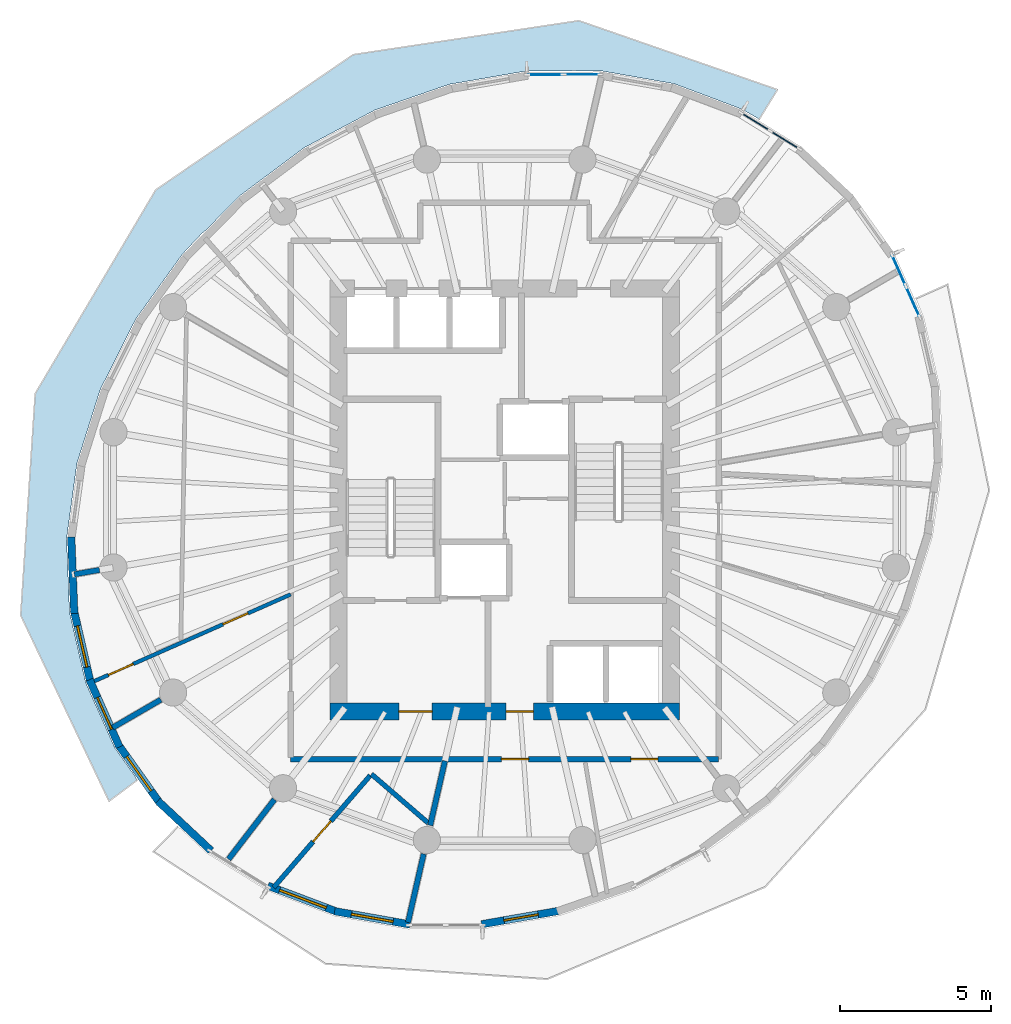
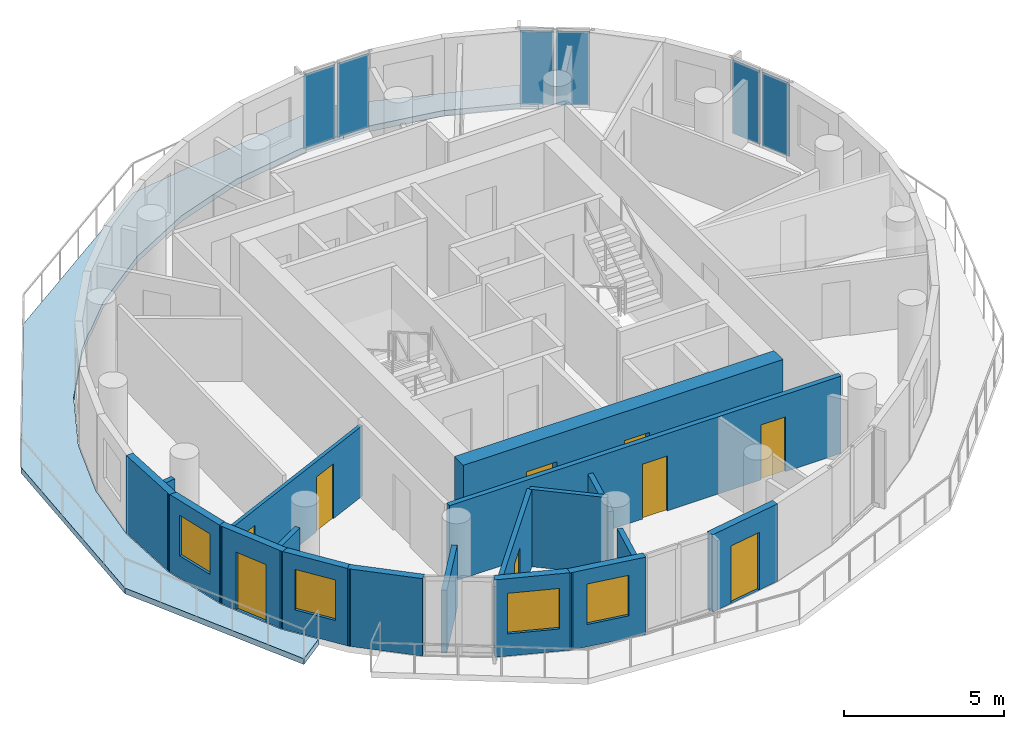
# One storey, part 4 of 10: 18 walls, 9 doors, 6 plates, 4 windows, 1 slab, 13 openings, 3 elements without a shape of their own.
"""IFC4 building model written with IfcOpenShell, lengths in metres."""

from ifc_helpers import new_model, si_unit, direction, frame, frame_2d, origin, origin_2d, place, context, subcontext, project, spatial, polyline, rectangle, outline, extrude, material, layer, layer_set, type_object, element, fill, aggregate, save


model = new_model("IFC4")

# Units and contexts
model_context = context("Model", 3, precision=1e-05, world=origin(), true_north=direction((0.0, 1.0)))
body_context = subcontext(model_context, "Body", "Model", "MODEL_VIEW")
ifc_project = project(units=[si_unit("LENGTHUNIT", "METRE"), si_unit("AREAUNIT", "SQUARE_METRE"), si_unit("VOLUMEUNIT", "CUBIC_METRE"), si_unit("PLANEANGLEUNIT", "RADIAN"), si_unit("MASSUNIT", "GRAM", prefix="KILO")], contexts=[model_context])

# Site, building, storey
site_placement = place(None, origin())
site = spatial("IfcSite", under=ifc_project, at=site_placement, CompositionType="ELEMENT")
building_placement = place(site_placement, origin())
building = spatial("IfcBuilding", under=site, at=building_placement, Name="Veldorim Arch Residences", CompositionType="ELEMENT")
storey_placement = place(building_placement, frame((0.0, 0.0, 169.43994140625)))
storey = spatial("IfcBuildingStorey", under=building, at=storey_placement, Name="L50", CompositionType="ELEMENT", Elevation=169.43994140625)

# Slab
ifc_material_1 = material(Name="Concrete C40/50", Category="concrete")
ifc_layer_1 = layer(ifc_material_1, 0.219970703125, Name="Planted Crescent Cantilever Balcony Slab 220")
ifc_layer_set_1 = layer_set([ifc_layer_1], Name="Concrete C40/50")
slab_type = type_object("IfcSlabType", Name="Planted Crescent Cantilever Balcony Slab 220", PredefinedType="FLOOR", material=ifc_layer_set_1)
slab_placement = place(storey_placement, frame((0.0, 0.0, -0.219970703125)))
element("IfcSlab", 1, at=slab_placement, inside=storey, type_object=slab_type, Name="L50 planted crescent balcony slab A", PredefinedType="FLOOR", context=body_context, shape_type="SweptSolid", body=[
    extrude(outline(polyline([(40.425048828125, 36.59814453125), (39.85107421875, 36.927490234375), (37.612060546875, 37.7705078125), (35.20263671875, 38.195068359375), (34.399169921875, 38.193115234375), (34.30615234375, 38.217529296875), (34.182373046875, 38.1923828125), (32.696044921875, 38.1884765625), (30.16845703125, 37.75048828125), (27.69677734375, 36.89501953125), (25.35595703125, 35.64794921875), (23.216796875, 34.047119140625), (22.1015625, 32.912109375), (22.001953125, 32.841552734375), (21.344482421875, 32.14111328125), (19.795654296875, 29.98779296875), (18.61767578125, 27.652587890625), (17.845703125, 25.206298828125), (17.504150390625, 22.72314453125), (17.60302734375, 20.278564453125), (18.139404296875, 17.947021484375), (19.09716796875, 15.799072265625), (19.780029296875, 14.83837890625), (19.827392578125, 14.716064453125), (18.906005859375, 14.02783203125), (15.98291015625, 20.177490234375), (16.463623046875, 27.518798828125), (20.4521484375, 34.258544921875), (26.9853515625, 38.734130859375), (34.456298828125, 39.8583984375), (41.0283203125, 37.5771484375), (40.425048828125, 36.59814453125)])), origin(), (0.0, 0.0, 1.0), 0.219970703125),
])

# Curtain wall, plates
ifc_material_2 = material(Name="Aluminium", Category="aluminium")
curtain_wall_type = type_object("IfcCurtainWallType", Name="Zone 4 High-Altitude Unitised Curtain Wall", PredefinedType="NOTDEFINED", material=ifc_material_2)
curtain_wall_1_placement = place(storey_placement, origin())
curtain_wall_1 = element("IfcCurtainWall", 2, at=curtain_wall_1_placement, inside=storey, type_object=curtain_wall_type, Name="L50 unitised curtain wall bay 02", PredefinedType="NOTDEFINED")
ifc_material_3 = material(Name="Laminated Low-E Glass", Category="glass")
ifc_layer_2 = layer(ifc_material_3, 0.030029296875, Name="Zone 4 High-Altitude Unitised Curtain Wall Glazing Panel 30")
ifc_layer_set_2 = layer_set([ifc_layer_2], Name="Laminated Low-E Glass")
plate_type = type_object("IfcPlateType", Name="Zone 4 High-Altitude Unitised Curtain Wall Glazing Panel 30", PredefinedType="CURTAIN_PANEL", material=ifc_layer_set_2)
plate_1_placement = place(storey_placement, frame((40.307861328125, 36.510009765625, 0.074951171875), z_axis=(0.0, 0.0, 1.0), x_axis=(0.850708896326, -0.525637112191, 0.0)))
plate_1 = element("IfcPlate", 3, at=plate_1_placement, type_object=plate_type, Name="CW-Z4 panel 1.1", PredefinedType="CURTAIN_PANEL", context=body_context, shape_type="SweptSolid", body=[
    extrude(rectangle(XDim=1.06103515625, YDim=0.030029296875, at=origin_2d()), origin(), (0.0, 0.0, 1.0), 2.81005859375),
])
plate_2_placement = place(storey_placement, frame((41.274169921875, 35.912841796875, 0.074951171875), z_axis=(0.0, 0.0, 1.0), x_axis=(0.850708896326, -0.525637112191, 0.0)))
plate_2 = element("IfcPlate", 4, at=plate_2_placement, type_object=plate_type, Name="CW-Z4 panel 2.1", PredefinedType="CURTAIN_PANEL", context=body_context, shape_type="SweptSolid", body=[
    extrude(rectangle(XDim=1.06103515625, YDim=0.030029296875, at=origin_2d()), origin(), (0.0, 0.0, 1.0), 2.81005859375),
])
aggregate(curtain_wall_1, [plate_1, plate_2])

curtain_wall_2_placement = place(storey_placement, origin())
curtain_wall_2 = element("IfcCurtainWall", 5, at=curtain_wall_2_placement, inside=storey, type_object=curtain_wall_type, Name="L50 unitised curtain wall bay 05", PredefinedType="NOTDEFINED")
plate_3_placement = place(storey_placement, frame((33.3427734375, 38.0751953125, 0.074951171875), z_axis=(0.0, 0.0, 1.0), x_axis=(0.999996415131, 0.002677634077, 0.0)))
plate_3 = element("IfcPlate", 6, at=plate_3_placement, type_object=plate_type, Name="CW-Z4 panel 1.1", PredefinedType="CURTAIN_PANEL", context=body_context, shape_type="SweptSolid", body=[
    extrude(rectangle(XDim=1.138671875, YDim=0.030029296875, at=origin_2d()), origin(), (0.0, 0.0, 1.0), 2.81005859375),
])
plate_4_placement = place(storey_placement, frame((34.556396484375, 38.078369140625, 0.074951171875), z_axis=(0.0, 0.0, 1.0), x_axis=(0.999996415131, 0.002677634077, 0.0)))
plate_4 = element("IfcPlate", 7, at=plate_4_placement, type_object=plate_type, Name="CW-Z4 panel 2.1", PredefinedType="CURTAIN_PANEL", context=body_context, shape_type="SweptSolid", body=[
    extrude(rectangle(XDim=1.138671875, YDim=0.030029296875, at=origin_2d()), origin(), (0.0, 0.0, 1.0), 2.81005859375),
])
aggregate(curtain_wall_2, [plate_3, plate_4])

curtain_wall_3_placement = place(storey_placement, origin())
curtain_wall_3 = element("IfcCurtainWall", 8, at=curtain_wall_3_placement, inside=storey, type_object=curtain_wall_type, Name="L50 unitised curtain wall bay 35", PredefinedType="NOTDEFINED")
plate_5_placement = place(storey_placement, frame((45.04541015625, 31.598876953125, 0.074951171875), z_axis=(0.0, 0.0, 1.0), x_axis=(0.407268864514, -0.913308311578, 0.0)))
plate_5 = element("IfcPlate", 9, at=plate_5_placement, type_object=plate_type, Name="CW-Z4 panel 1.1", PredefinedType="CURTAIN_PANEL", context=body_context, shape_type="SweptSolid", body=[
    extrude(rectangle(XDim=1.06103515625, YDim=0.030029296875, at=origin_2d()), origin(), (0.0, 0.0, 1.0), 2.81005859375),
])
plate_6_placement = place(storey_placement, frame((45.508056640625, 30.561279296875, 0.074951171875), z_axis=(0.0, 0.0, 1.0), x_axis=(0.407268864514, -0.913308311578, 0.0)))
plate_6 = element("IfcPlate", 10, at=plate_6_placement, type_object=plate_type, Name="CW-Z4 panel 2.1", PredefinedType="CURTAIN_PANEL", context=body_context, shape_type="SweptSolid", body=[
    extrude(rectangle(XDim=1.06103515625, YDim=0.030029296875, at=origin_2d()), origin(), (0.0, 0.0, 1.0), 2.81005859375),
])
aggregate(curtain_wall_3, [plate_5, plate_6])

# Wall, openings, doors
ifc_material_4 = material(Name="Acoustic Gypsum Board", Category="gypsum")
ifc_layer_3 = layer(ifc_material_4, 0.125, Name="Acoustic Stud Room Partition Wall 125")
ifc_layer_set_3 = layer_set([ifc_layer_3], Name="Acoustic Gypsum Board")
wall_type_1 = type_object("IfcWallType", Name="Acoustic Stud Room Partition Wall 125", PredefinedType="PARTITIONING", material=ifc_layer_set_3)
wall_1_placement = place(storey_placement, frame((18.316650390625, 17.954345703125, 0.0), z_axis=(0.0, 0.0, 1.0), x_axis=(0.914699105929, 0.404135553512, 0.0)))
wall_1 = element("IfcWall", 11, at=wall_1_placement, inside=storey, type_object=wall_type_1, Name="L50 interior wall WL-RES-L50-026", PredefinedType="PARTITIONING", context=body_context, shape_type="SweptSolid", body=[
    extrude(rectangle(XDim=7.218994140625, YDim=0.125, at=frame_2d((3.609375, 0.0))), origin(), (0.0, 0.0, 1.0), 2.692138671875),
])
opening_1_placement = place(wall_1_placement, frame((0.62109375, 0.0, 0.0)))
opening_1 = element("IfcOpeningElement", 12, at=opening_1_placement, cuts=wall_1, Name="Opening DR-INT", PredefinedType="OPENING", context=body_context, shape_type="SweptSolid", body=[
    extrude(rectangle(XDim=0.89990234375, YDim=2.10009765625, at=frame_2d((0.449951171875, 1.050048828125))), frame((0.0, 0.072509765625, 0.0), z_axis=(0.0, -1.0, 0.0), x_axis=(1.0, 0.0, 0.0)), (0.0, 0.0, 1.0), 0.14501953125),
])
opening_2_placement = place(wall_1_placement, frame((4.769775390625, 0.0, 0.0)))
opening_2 = element("IfcOpeningElement", 13, at=opening_2_placement, cuts=wall_1, Name="Opening DR-INT", PredefinedType="OPENING", context=body_context, shape_type="SweptSolid", body=[
    extrude(rectangle(XDim=0.89990234375, YDim=2.10009765625, at=frame_2d((0.449951171875, 1.050048828125))), frame((0.0, 0.072509765625, 0.0), z_axis=(0.0, -1.0, 0.0), x_axis=(1.0, 0.0, 0.0)), (0.0, 0.0, 1.0), 0.14501953125),
])
ifc_material_5 = material(Name="Engineered Timber", Category="wood")
door_type_1 = type_object("IfcDoorType", Name="Apartment Internal Room Timber Door 900x2100", OperationType="SINGLE_SWING_LEFT", PredefinedType="DOOR", material=ifc_material_5)
door_1_placement = place(opening_1_placement, origin())
door_1 = element("IfcDoor", 14, at=door_1_placement, inside=storey, type_object=door_type_1, Name="L50 interior door DR-RES-L50-015", OperationType="SINGLE_SWING_LEFT", OverallHeight=2.10009765625, OverallWidth=0.89990234375, PredefinedType="DOOR", context=body_context, shape_type="SweptSolid", body=[
    extrude(rectangle(XDim=0.89990234375, YDim=2.10009765625, at=frame_2d((0.449951171875, 1.050048828125))), frame((0.0, 0.02490234375, 0.0), z_axis=(0.0, -1.0, 0.0), x_axis=(1.0, 0.0, 0.0)), (0.0, 0.0, 1.0), 0.050048828125),
])
fill(opening_1, door_1)
door_2_placement = place(opening_2_placement, origin())
door_2 = element("IfcDoor", 15, at=door_2_placement, inside=storey, type_object=door_type_1, Name="L50 interior door DR-RES-L50-016", OperationType="SINGLE_SWING_RIGHT", OverallHeight=2.10009765625, OverallWidth=0.89990234375, PredefinedType="DOOR", context=body_context, shape_type="SweptSolid", body=[
    extrude(rectangle(XDim=0.89990234375, YDim=2.10009765625, at=frame_2d((0.449951171875, 1.050048828125))), frame((0.0, 0.02490234375, 0.0), z_axis=(0.0, -1.0, 0.0), x_axis=(1.0, 0.0, 0.0)), (0.0, 0.0, 1.0), 0.050048828125),
])
fill(opening_2, door_2)

# Walls
ifc_material_6 = material(Name="Lightweight Masonry Block & Gypsum", Category="masonry")
ifc_layer_4 = layer(ifc_material_6, 0.179931640625, Name="Compartment & Corridor Fire-Rated Party Wall 180")
ifc_layer_set_4 = layer_set([ifc_layer_4], Name="Lightweight Masonry Block & Gypsum")
wall_type_2 = type_object("IfcWallType", Name="Compartment & Corridor Fire-Rated Party Wall 180", PredefinedType="PARTITIONING", material=ifc_layer_set_4)
wall_2_placement = place(storey_placement, frame((18.590576171875, 21.680419921875, 0.0), z_axis=(0.0, 0.0, 1.0), x_axis=(-0.985336508055, -0.170622290144, 0.0)))
element("IfcWall", 16, at=wall_2_placement, inside=storey, type_object=wall_type_2, Name="L50 interior wall WL-PIER-L50-09", PredefinedType="PARTITIONING", context=body_context, shape_type="SweptSolid", body=[
    extrude(rectangle(XDim=0.845703125, YDim=0.179931640625, at=frame_2d((0.4228515625, 0.0))), origin(), (0.0, 0.0, 1.0), 2.403564453125),
])
wall_3_placement = place(storey_placement, frame((20.6181640625, 17.385986328125, 0.0), z_axis=(0.0, 0.0, 1.0), x_axis=(-0.864604991586, -0.502452195264, 0.0)))
element("IfcWall", 17, at=wall_3_placement, inside=storey, type_object=wall_type_2, Name="L50 interior wall WL-PIER-L50-10", PredefinedType="PARTITIONING", context=body_context, shape_type="SweptSolid", body=[
    extrude(rectangle(XDim=1.841064453125, YDim=0.179931640625, at=frame_2d((0.92041015625, 0.0))), origin(), (0.0, 0.0, 1.0), 2.403564453125),
])
wall_4_placement = place(storey_placement, frame((24.380126953125, 14.08203125, 0.0), z_axis=(0.0, 0.0, 1.0), x_axis=(-0.609279402228, -0.792955616678, 0.0)))
element("IfcWall", 18, at=wall_4_placement, inside=storey, type_object=wall_type_2, Name="L50 interior wall WL-PIER-L50-11", PredefinedType="PARTITIONING", context=body_context, shape_type="SweptSolid", body=[
    extrude(rectangle(XDim=2.489501953125, YDim=0.179931640625, at=frame_2d((1.24462890625, 0.0))), origin(), (0.0, 0.0, 1.0), 2.403564453125),
])
wall_5_placement = place(storey_placement, frame((29.320068359375, 12.282470703125, 0.0), z_axis=(0.0, 0.0, 1.0), x_axis=(-0.222998449778, -0.974818799263, 0.0)))
element("IfcWall", 19, at=wall_5_placement, inside=storey, type_object=wall_type_2, Name="L50 interior wall WL-PIER-L50-12", PredefinedType="PARTITIONING", context=body_context, shape_type="SweptSolid", body=[
    extrude(rectangle(XDim=2.32861328125, YDim=0.179931640625, at=frame_2d((1.164306640625, 0.0))), origin(), (0.0, 0.0, 1.0), 2.403564453125),
])

# Wall, openings, doors
wall_6_placement = place(storey_placement, frame((39.080078125, 15.419921875, 0.0), z_axis=(0.0, 0.0, 1.0), x_axis=(-1.0, 0.0, 0.0)))
wall_6 = element("IfcWall", 20, at=wall_6_placement, inside=storey, type_object=wall_type_2, Name="L50 interior wall WL-RES-L50-001", PredefinedType="PARTITIONING", context=body_context, shape_type="SweptSolid", body=[
    extrude(rectangle(XDim=14.16015625, YDim=0.179931640625, at=frame_2d((7.080078125, 0.0))), origin(), (0.0, 0.0, 1.0), 2.955078125),
])
opening_3_placement = place(wall_6_placement, frame((2.006591796875, 0.0, 0.0)))
opening_3 = element("IfcOpeningElement", 21, at=opening_3_placement, cuts=wall_6, Name="Opening DR-SVC", PredefinedType="OPENING", context=body_context, shape_type="SweptSolid", body=[
    extrude(rectangle(XDim=0.89990234375, YDim=2.10009765625, at=frame_2d((0.449951171875, 1.050048828125))), frame((0.0, 0.099853515625, 0.0), z_axis=(0.0, -1.0, 0.0), x_axis=(1.0, 0.0, 0.0)), (0.0, 0.0, 1.0), 0.199951171875),
])
opening_4_placement = place(wall_6_placement, frame((6.28662109375, 0.0, 0.0)))
opening_4 = element("IfcOpeningElement", 22, at=opening_4_placement, cuts=wall_6, Name="Opening DR-INT", PredefinedType="OPENING", context=body_context, shape_type="SweptSolid", body=[
    extrude(rectangle(XDim=0.89990234375, YDim=2.10009765625, at=frame_2d((0.449951171875, 1.050048828125))), frame((0.0, 0.099853515625, 0.0), z_axis=(0.0, -1.0, 0.0), x_axis=(1.0, 0.0, 0.0)), (0.0, 0.0, 1.0), 0.199951171875),
])
door_3_placement = place(opening_4_placement, origin())
door_3 = element("IfcDoor", 23, at=door_3_placement, inside=storey, type_object=door_type_1, Name="L50 interior door DR-RES-L50-002", OperationType="SINGLE_SWING_RIGHT", OverallHeight=2.10009765625, OverallWidth=0.89990234375, PredefinedType="DOOR", context=body_context, shape_type="SweptSolid", body=[
    extrude(rectangle(XDim=0.89990234375, YDim=2.10009765625, at=frame_2d((0.449951171875, 1.050048828125))), frame((0.0, 0.02490234375, 0.0), z_axis=(0.0, -1.0, 0.0), x_axis=(1.0, 0.0, 0.0)), (0.0, 0.0, 1.0), 0.050048828125),
])
fill(opening_4, door_3)
ifc_material_7 = material(Name="Fire-Rated Steel", Category="steel")
door_type_2 = type_object("IfcDoorType", Name="Riser, Shelter & Plant Room Rated Steel Door 900x2100", OperationType="SINGLE_SWING_LEFT", PredefinedType="DOOR", material=ifc_material_7)
door_4_placement = place(opening_3_placement, origin())
door_4 = element("IfcDoor", 24, at=door_4_placement, inside=storey, type_object=door_type_2, Name="L50 interior door DR-RES-L50-001", OperationType="SINGLE_SWING_LEFT", OverallHeight=2.10009765625, OverallWidth=0.89990234375, PredefinedType="DOOR", context=body_context, shape_type="SweptSolid", body=[
    extrude(rectangle(XDim=0.89990234375, YDim=2.10009765625, at=frame_2d((0.449951171875, 1.050048828125))), frame((0.0, 0.02490234375, 0.0), z_axis=(0.0, -1.0, 0.0), x_axis=(1.0, 0.0, 0.0)), (0.0, 0.0, 1.0), 0.050048828125),
])
fill(opening_3, door_4)

# Walls
wall_7_placement = place(storey_placement, frame((29.535400390625, 13.223876953125, 0.0), z_axis=(0.0, 0.0, 1.0), x_axis=(0.222891307908, 0.97484330272, 0.0)))
element("IfcWall", 25, at=wall_7_placement, inside=storey, type_object=wall_type_2, Name="L50 interior wall WL-RES-L50-013", PredefinedType="PARTITIONING", context=body_context, shape_type="SweptSolid", body=[
    extrude(rectangle(XDim=2.19287109375, YDim=0.179931640625, at=frame_2d((1.096435546875, 0.0))), origin(), (0.0, 0.0, 1.0), 2.403564453125),
])
ifc_material_8 = material(Name="Precast concrete C40/50", Category="concrete")
ifc_layer_5 = layer(ifc_material_8, 0.25, Name="Tower Terracotta Spandrel & Pier Wall 250")
ifc_layer_set_5 = layer_set([ifc_layer_5], Name="Precast concrete C40/50")
wall_type_3 = type_object("IfcWallType", Name="Tower Terracotta Spandrel & Pier Wall 250", PredefinedType="SOLIDWALL", material=ifc_layer_set_5)
wall_8_placement = place(storey_placement, frame((17.754638671875, 20.241943359375, 0.0), z_axis=(0.0, 0.0, 1.0), x_axis=(-0.040399298921, 0.999183615081, 0.0)))
element("IfcWall", 26, at=wall_8_placement, inside=storey, type_object=wall_type_3, Name="L50 terracotta facade wall 15", PredefinedType="SOLIDWALL", context=body_context, shape_type="SweptSolid", body=[
    extrude(rectangle(XDim=2.531982421875, YDim=0.25, at=frame_2d((1.26611328125, 0.0))), origin(), (0.0, 0.0, 1.0), 2.9599609375),
])

# Wall, opening, window
wall_9_placement = place(storey_placement, frame((18.294921875, 17.939208984375, 0.0), z_axis=(0.0, 0.0, 1.0), x_axis=(-0.224175769227, 0.974548728639, 0.0)))
wall_9 = element("IfcWall", 27, at=wall_9_placement, inside=storey, type_object=wall_type_3, Name="L50 terracotta facade wall 16", PredefinedType="SOLIDWALL", context=body_context, shape_type="SweptSolid", body=[
    extrude(rectangle(XDim=2.4775390625, YDim=0.25, at=frame_2d((1.23876953125, 0.0))), origin(), (0.0, 0.0, 1.0), 2.9599609375),
])
opening_5_placement = place(wall_9_placement, frame((0.5390625, 0.0, 0.85009765625)))
opening_5 = element("IfcOpeningElement", 28, at=opening_5_placement, cuts=wall_9, Name="Opening WN-02", PredefinedType="OPENING", context=body_context, shape_type="SweptSolid", body=[
    extrude(rectangle(XDim=1.39990234375, YDim=1.550048828125, at=frame_2d((0.699951171875, 0.77490234375))), frame((0.0, 0.135009765625, 0.0), z_axis=(0.0, -1.0, 0.0), x_axis=(1.0, 0.0, 0.0)), (0.0, 0.0, 1.0), 0.27001953125),
])
ifc_material_9 = material(Name="Laminated Low-E Glass", Category="glass")
window_type_1 = type_object("IfcWindowType", Name="Residential Casement Window 1400x1550", PartitioningType="SINGLE_PANEL", PredefinedType="WINDOW", material=ifc_material_9)
window_1_placement = place(opening_5_placement, origin())
window_1 = element("IfcWindow", 29, at=window_1_placement, inside=storey, type_object=window_type_1, Name="L50 solar-control facade window 16", OverallHeight=1.550048828125, OverallWidth=1.39990234375, PartitioningType="SINGLE_PANEL", PredefinedType="WINDOW", context=body_context, shape_type="SweptSolid", body=[
    extrude(rectangle(XDim=1.39990234375, YDim=1.550048828125, at=frame_2d((0.699951171875, 0.77490234375))), frame((0.0, 0.030029296875, 0.0), z_axis=(0.0, -1.0, 0.0), x_axis=(1.0, 0.0, 0.0)), (0.0, 0.0, 1.0), 0.06005859375),
])
fill(opening_5, window_1)

# Wall, opening, door
wall_10_placement = place(storey_placement, frame((19.25146484375, 15.8212890625, 0.0), z_axis=(0.0, 0.0, 1.0), x_axis=(-0.407346511056, 0.913273682929, 0.0)))
wall_10 = element("IfcWall", 30, at=wall_10_placement, inside=storey, type_object=wall_type_3, Name="L50 terracotta facade wall 17", PredefinedType="SOLIDWALL", context=body_context, shape_type="SweptSolid", body=[
    extrude(rectangle(XDim=2.43701171875, YDim=0.25, at=frame_2d((1.218505859375, 0.0))), origin(), (0.0, 0.0, 1.0), 2.9599609375),
])
opening_6_placement = place(wall_10_placement, frame((0.64306640625, 0.0, 0.0)))
opening_6 = element("IfcOpeningElement", 31, at=opening_6_placement, cuts=wall_10, Name="Opening BL-DR", PredefinedType="OPENING", context=body_context, shape_type="SweptSolid", body=[
    extrude(rectangle(XDim=1.14990234375, YDim=2.199951171875, at=frame_2d((0.574951171875, 1.10009765625))), frame((0.0, 0.135009765625, 0.0), z_axis=(0.0, -1.0, 0.0), x_axis=(1.0, 0.0, 0.0)), (0.0, 0.0, 1.0), 0.27001953125),
])
ifc_material_10 = material(Name="Aluminium & Low-E Glass", Category="aluminium")
door_type_3 = type_object("IfcDoorType", Name="Glazed Planted Balcony Door 1150x2200", OperationType="SINGLE_SWING_LEFT", PredefinedType="DOOR", material=ifc_material_10)
door_5_placement = place(opening_6_placement, origin())
door_5 = element("IfcDoor", 32, at=door_5_placement, inside=storey, type_object=door_type_3, Name="L50 glazed outdoor terrace door BALC-1", OperationType="SINGLE_SWING_LEFT", OverallHeight=2.199951171875, OverallWidth=1.14990234375, PredefinedType="DOOR", context=body_context, shape_type="SweptSolid", body=[
    extrude(rectangle(XDim=1.14990234375, YDim=2.199951171875, at=frame_2d((0.574951171875, 1.10009765625))), frame((0.0, 0.02490234375, 0.0), z_axis=(0.0, -1.0, 0.0), x_axis=(1.0, 0.0, 0.0)), (0.0, 0.0, 1.0), 0.050048828125),
])
fill(opening_6, door_5)

# Wall, opening, window
wall_11_placement = place(storey_placement, frame((20.593994140625, 13.95263671875, 0.0), z_axis=(0.0, 0.0, 1.0), x_axis=(-0.579505880656, 0.814968057217, 0.0)))
wall_11 = element("IfcWall", 33, at=wall_11_placement, inside=storey, type_object=wall_type_3, Name="L50 terracotta facade wall 18", PredefinedType="SOLIDWALL", context=body_context, shape_type="SweptSolid", body=[
    extrude(rectangle(XDim=2.414794921875, YDim=0.25, at=frame_2d((1.20751953125, 0.0))), origin(), (0.0, 0.0, 1.0), 2.9599609375),
])
opening_7_placement = place(wall_11_placement, frame((0.507080078125, 0.0, 0.85009765625)))
opening_7 = element("IfcOpeningElement", 34, at=opening_7_placement, cuts=wall_11, Name="Opening WN-02", PredefinedType="OPENING", context=body_context, shape_type="SweptSolid", body=[
    extrude(rectangle(XDim=1.39990234375, YDim=1.550048828125, at=frame_2d((0.699951171875, 0.77490234375))), frame((0.0, 0.135009765625, 0.0), z_axis=(0.0, -1.0, 0.0), x_axis=(1.0, 0.0, 0.0)), (0.0, 0.0, 1.0), 0.27001953125),
])
window_2_placement = place(opening_7_placement, origin())
window_2 = element("IfcWindow", 35, at=window_2_placement, inside=storey, type_object=window_type_1, Name="L50 solar-control facade window 18", OverallHeight=1.550048828125, OverallWidth=1.39990234375, PartitioningType="SINGLE_PANEL", PredefinedType="WINDOW", context=body_context, shape_type="SweptSolid", body=[
    extrude(rectangle(XDim=1.39990234375, YDim=1.550048828125, at=frame_2d((0.699951171875, 0.77490234375))), frame((0.0, 0.030029296875, 0.0), z_axis=(0.0, -1.0, 0.0), x_axis=(1.0, 0.0, 0.0)), (0.0, 0.0, 1.0), 0.06005859375),
])
fill(opening_7, window_2)

# Wall
wall_12_placement = place(storey_placement, frame((22.28173828125, 12.38916015625, 0.0), z_axis=(0.0, 0.0, 1.0), x_axis=(-0.730224222865, 0.683207570465, 0.0)))
element("IfcWall", 36, at=wall_12_placement, inside=storey, type_object=wall_type_3, Name="L50 terracotta facade wall 19", PredefinedType="SOLIDWALL", context=body_context, shape_type="SweptSolid", body=[
    extrude(rectangle(XDim=2.41455078125, YDim=0.25, at=frame_2d((1.207275390625, 0.0))), origin(), (0.0, 0.0, 1.0), 2.9599609375),
])

# Wall, opening, window
wall_13_placement = place(storey_placement, frame((26.480712890625, 10.354736328125, 0.0), z_axis=(0.0, 0.0, 1.0), x_axis=(-0.93586674787, 0.352354126172, 0.0)))
wall_13 = element("IfcWall", 37, at=wall_13_placement, inside=storey, type_object=wall_type_3, Name="L50 terracotta facade wall 21", PredefinedType="SOLIDWALL", context=body_context, shape_type="SweptSolid", body=[
    extrude(rectangle(XDim=2.477783203125, YDim=0.25, at=frame_2d((1.23876953125, 0.0))), origin(), (0.0, 0.0, 1.0), 2.9599609375),
])
opening_8_placement = place(wall_13_placement, frame((0.4140625, 0.0, 0.85009765625)))
opening_8 = element("IfcOpeningElement", 38, at=opening_8_placement, cuts=wall_13, Name="Opening WN-03", PredefinedType="OPENING", context=body_context, shape_type="SweptSolid", body=[
    extrude(rectangle(XDim=1.64990234375, YDim=1.550048828125, at=frame_2d((0.824951171875, 0.77490234375))), frame((0.0, 0.135009765625, 0.0), z_axis=(0.0, -1.0, 0.0), x_axis=(1.0, 0.0, 0.0)), (0.0, 0.0, 1.0), 0.27001953125),
])
ifc_material_11 = material(Name="Laminated Low-E Glass", Category="glass")
window_type_2 = type_object("IfcWindowType", Name="Residential Wide Window 1650x1550", PartitioningType="SINGLE_PANEL", PredefinedType="WINDOW", material=ifc_material_11)
window_3_placement = place(opening_8_placement, origin())
window_3 = element("IfcWindow", 39, at=window_3_placement, inside=storey, type_object=window_type_2, Name="L50 solar-control facade window 21", OverallHeight=1.550048828125, OverallWidth=1.64990234375, PartitioningType="SINGLE_PANEL", PredefinedType="WINDOW", context=body_context, shape_type="SweptSolid", body=[
    extrude(rectangle(XDim=1.64990234375, YDim=1.550048828125, at=frame_2d((0.824951171875, 0.77490234375))), frame((0.0, 0.030029296875, 0.0), z_axis=(0.0, -1.0, 0.0), x_axis=(1.0, 0.0, 0.0)), (0.0, 0.0, 1.0), 0.06005859375),
])
fill(opening_8, window_3)

wall_14_placement = place(storey_placement, frame((28.865478515625, 9.9453125, 0.0), z_axis=(0.0, 0.0, 1.0), x_axis=(-0.984837873762, 0.173477267688, 0.0)))
wall_14 = element("IfcWall", 40, at=wall_14_placement, inside=storey, type_object=wall_type_3, Name="L50 terracotta facade wall 22", PredefinedType="SOLIDWALL", context=body_context, shape_type="SweptSolid", body=[
    extrude(rectangle(XDim=2.53173828125, YDim=0.25, at=frame_2d((1.265869140625, 0.0))), origin(), (0.0, 0.0, 1.0), 2.9599609375),
])
opening_9_placement = place(wall_14_placement, frame((0.56591796875, 0.0, 0.85009765625)))
opening_9 = element("IfcOpeningElement", 41, at=opening_9_placement, cuts=wall_14, Name="Opening WN-02", PredefinedType="OPENING", context=body_context, shape_type="SweptSolid", body=[
    extrude(rectangle(XDim=1.39990234375, YDim=1.550048828125, at=frame_2d((0.699951171875, 0.77490234375))), frame((0.0, 0.135009765625, 0.0), z_axis=(0.0, -1.0, 0.0), x_axis=(1.0, 0.0, 0.0)), (0.0, 0.0, 1.0), 0.27001953125),
])
window_4_placement = place(opening_9_placement, origin())
window_4 = element("IfcWindow", 42, at=window_4_placement, inside=storey, type_object=window_type_1, Name="L50 solar-control facade window 22", OverallHeight=1.550048828125, OverallWidth=1.39990234375, PartitioningType="SINGLE_PANEL", PredefinedType="WINDOW", context=body_context, shape_type="SweptSolid", body=[
    extrude(rectangle(XDim=1.39990234375, YDim=1.550048828125, at=frame_2d((0.699951171875, 0.77490234375))), frame((0.0, 0.030029296875, 0.0), z_axis=(0.0, -1.0, 0.0), x_axis=(1.0, 0.0, 0.0)), (0.0, 0.0, 1.0), 0.06005859375),
])
fill(opening_9, window_4)

# Wall, opening, door
wall_15_placement = place(storey_placement, frame((33.84814453125, 10.404541015625, 0.0), z_axis=(0.0, 0.0, 1.0), x_axis=(-0.985331154473, -0.170653203967, 0.0)))
wall_15 = element("IfcWall", 43, at=wall_15_placement, inside=storey, type_object=wall_type_3, Name="L50 terracotta facade wall 24", PredefinedType="SOLIDWALL", context=body_context, shape_type="SweptSolid", body=[
    extrude(rectangle(XDim=2.65087890625, YDim=0.25, at=frame_2d((1.325439453125, 0.0))), origin(), (0.0, 0.0, 1.0), 2.9599609375),
])
opening_10_placement = place(wall_15_placement, frame((0.75, 0.0, 0.0)))
opening_10 = element("IfcOpeningElement", 44, at=opening_10_placement, cuts=wall_15, Name="Opening BL-DR", PredefinedType="OPENING", context=body_context, shape_type="SweptSolid", body=[
    extrude(rectangle(XDim=1.14990234375, YDim=2.199951171875, at=frame_2d((0.574951171875, 1.10009765625))), frame((0.0, 0.135009765625, 0.0), z_axis=(0.0, -1.0, 0.0), x_axis=(1.0, 0.0, 0.0)), (0.0, 0.0, 1.0), 0.27001953125),
])
door_6_placement = place(opening_10_placement, origin())
door_6 = element("IfcDoor", 45, at=door_6_placement, inside=storey, type_object=door_type_3, Name="L50 glazed outdoor terrace door BALC-2", OperationType="SINGLE_SWING_RIGHT", OverallHeight=2.199951171875, OverallWidth=1.14990234375, PredefinedType="DOOR", context=body_context, shape_type="SweptSolid", body=[
    extrude(rectangle(XDim=1.14990234375, YDim=2.199951171875, at=frame_2d((0.574951171875, 1.10009765625))), frame((0.0, 0.02490234375, 0.0), z_axis=(0.0, -1.0, 0.0), x_axis=(1.0, 0.0, 0.0)), (0.0, 0.0, 1.0), 0.050048828125),
])
fill(opening_10, door_6)

# Wall, openings, doors
ifc_material_12 = material(Name="Concrete C50/60", Category="concrete")
ifc_layer_6 = layer(ifc_material_12, 0.5, Name="Upper Central Core Shear Wall 560")
ifc_layer_set_6 = layer_set([ifc_layer_6], Name="Concrete C50/60")
wall_type_4 = type_object("IfcWallType", Name="Upper Central Core Shear Wall 560", PredefinedType="SHEAR", material=ifc_layer_set_6)
wall_16_placement = place(storey_placement, frame((26.219970703125, 17.0, 0.0), z_axis=(0.0, 0.0, 1.0), x_axis=(1.0, 0.0, 0.0)))
wall_16 = element("IfcWall", 46, at=wall_16_placement, inside=storey, type_object=wall_type_4, Name="L50 central core south shear wall", PredefinedType="SHEAR", context=body_context, shape_type="SweptSolid", body=[
    extrude(rectangle(XDim=11.56005859375, YDim=0.56005859375, at=frame_2d((5.780029296875, 0.0))), origin(), (0.0, 0.0, 1.0), 3.199951171875),
])
opening_11_placement = place(wall_16_placement, frame((2.280029296875, 0.0, 0.0)))
opening_11 = element("IfcOpeningElement", 47, at=opening_11_placement, cuts=wall_16, Name="Opening DR-FFL", PredefinedType="OPENING", context=body_context, shape_type="SweptSolid", body=[
    extrude(rectangle(XDim=1.10009765625, YDim=2.14990234375, at=frame_2d((0.550048828125, 1.074951171875))), frame((0.0, 0.2900390625, 0.0), z_axis=(0.0, -1.0, 0.0), x_axis=(1.0, 0.0, 0.0)), (0.0, 0.0, 1.0), 0.580078125),
])
opening_12_placement = place(wall_16_placement, frame((5.830078125, 0.0, 0.0)))
opening_12 = element("IfcOpeningElement", 48, at=opening_12_placement, cuts=wall_16, Name="Opening DR-SVC", PredefinedType="OPENING", context=body_context, shape_type="SweptSolid", body=[
    extrude(rectangle(XDim=0.89990234375, YDim=2.10009765625, at=frame_2d((0.449951171875, 1.050048828125))), frame((0.0, 0.2900390625, 0.0), z_axis=(0.0, -1.0, 0.0), x_axis=(1.0, 0.0, 0.0)), (0.0, 0.0, 1.0), 0.580078125),
])
ifc_material_13 = material(Name="Fire-Rated Steel & Vision Glass", Category="steel")
door_type_4 = type_object("IfcDoorType", Name="Firefighting Lobby Smoke-Stop Fire Door 1100x2150", OperationType="SINGLE_SWING_LEFT", PredefinedType="DOOR", material=ifc_material_13)
door_7_placement = place(opening_11_placement, origin())
door_7 = element("IfcDoor", 49, at=door_7_placement, inside=storey, type_object=door_type_4, Name="L50 interior door DR-L50-FFL1", OperationType="SINGLE_SWING_RIGHT", OverallHeight=2.14990234375, OverallWidth=1.10009765625, PredefinedType="DOOR", context=body_context, shape_type="SweptSolid", body=[
    extrude(rectangle(XDim=1.10009765625, YDim=2.14990234375, at=frame_2d((0.550048828125, 1.074951171875))), frame((0.0, 0.02490234375, 0.0), z_axis=(0.0, -1.0, 0.0), x_axis=(1.0, 0.0, 0.0)), (0.0, 0.0, 1.0), 0.050048828125),
])
fill(opening_11, door_7)
door_8_placement = place(opening_12_placement, origin())
door_8 = element("IfcDoor", 50, at=door_8_placement, inside=storey, type_object=door_type_2, Name="L50 interior door DR-L50-COR-ANC", OperationType="SINGLE_SWING_LEFT", OverallHeight=2.10009765625, OverallWidth=0.89990234375, PredefinedType="DOOR", context=body_context, shape_type="SweptSolid", body=[
    extrude(rectangle(XDim=0.89990234375, YDim=2.10009765625, at=frame_2d((0.449951171875, 1.050048828125))), frame((0.0, 0.02490234375, 0.0), z_axis=(0.0, -1.0, 0.0), x_axis=(1.0, 0.0, 0.0)), (0.0, 0.0, 1.0), 0.050048828125),
])
fill(opening_12, door_8)

# Wall
ifc_material_14 = material(Name="Moisture-Resistant Gypsum & Stud", Category="gypsum")
ifc_layer_7 = layer(ifc_material_14, 0.159912109375, Name="Wet-Area Moisture-Resistant Plumbing Wall 160")
ifc_layer_set_7 = layer_set([ifc_layer_7], Name="Moisture-Resistant Gypsum & Stud")
wall_type_5 = type_object("IfcWallType", Name="Wet-Area Moisture-Resistant Plumbing Wall 160", PredefinedType="PLUMBINGWALL", material=ifc_layer_set_7)
wall_17_placement = place(storey_placement, frame((29.464111328125, 13.30859375, 0.0), z_axis=(0.0, 0.0, 1.0), x_axis=(-0.757457065386, 0.652884977693, 0.0)))
element("IfcWall", 51, at=wall_17_placement, inside=storey, type_object=wall_type_5, Name="L50 interior wall WL-RES-L50-024", PredefinedType="PLUMBINGWALL", context=body_context, shape_type="SweptSolid", body=[
    extrude(rectangle(XDim=2.474853515625, YDim=0.159912109375, at=frame_2d((1.2373046875, 0.0))), origin(), (0.0, 0.0, 1.0), 2.955078125),
])

# Wall, opening, door
wall_18_placement = place(storey_placement, frame((27.55029296875, 14.87890625, 0.0), z_axis=(0.0, 0.0, 1.0), x_axis=(-0.652871537105, -0.757468650201, 0.0)))
wall_18 = element("IfcWall", 52, at=wall_18_placement, inside=storey, type_object=wall_type_5, Name="L50 interior wall WL-RES-L50-025", PredefinedType="PLUMBINGWALL", context=body_context, shape_type="SweptSolid", body=[
    extrude(rectangle(XDim=4.89453125, YDim=0.159912109375, at=frame_2d((2.447265625, 0.0))), origin(), (0.0, 0.0, 1.0), 2.955078125),
])
opening_13_placement = place(wall_18_placement, frame((1.997314453125, 0.0, 0.0)))
opening_13 = element("IfcOpeningElement", 53, at=opening_13_placement, cuts=wall_18, Name="Opening DR-WC", PredefinedType="OPENING", context=body_context, shape_type="SweptSolid", body=[
    extrude(rectangle(XDim=0.89990234375, YDim=2.10009765625, at=frame_2d((0.449951171875, 1.050048828125))), frame((0.0, 0.08984375, 0.0), z_axis=(0.0, -1.0, 0.0), x_axis=(1.0, 0.0, 0.0)), (0.0, 0.0, 1.0), 0.179931640625),
])
ifc_material_15 = material(Name="Laminate Timber", Category="wood")
door_type_5 = type_object("IfcDoorType", Name="Bathroom & Accessible WC Moisture-Sealed Door 900x2100", OperationType="SINGLE_SWING_LEFT", PredefinedType="DOOR", material=ifc_material_15)
door_9_placement = place(opening_13_placement, origin())
door_9 = element("IfcDoor", 54, at=door_9_placement, inside=storey, type_object=door_type_5, Name="L50 interior door DR-RES-L50-014", OperationType="SINGLE_SWING_RIGHT", OverallHeight=2.10009765625, OverallWidth=0.89990234375, PredefinedType="DOOR", context=body_context, shape_type="SweptSolid", body=[
    extrude(rectangle(XDim=0.89990234375, YDim=2.10009765625, at=frame_2d((0.449951171875, 1.050048828125))), frame((0.0, 0.02490234375, 0.0), z_axis=(0.0, -1.0, 0.0), x_axis=(1.0, 0.0, 0.0)), (0.0, 0.0, 1.0), 0.050048828125),
])
fill(opening_13, door_9)

save(model, "model.ifc")
